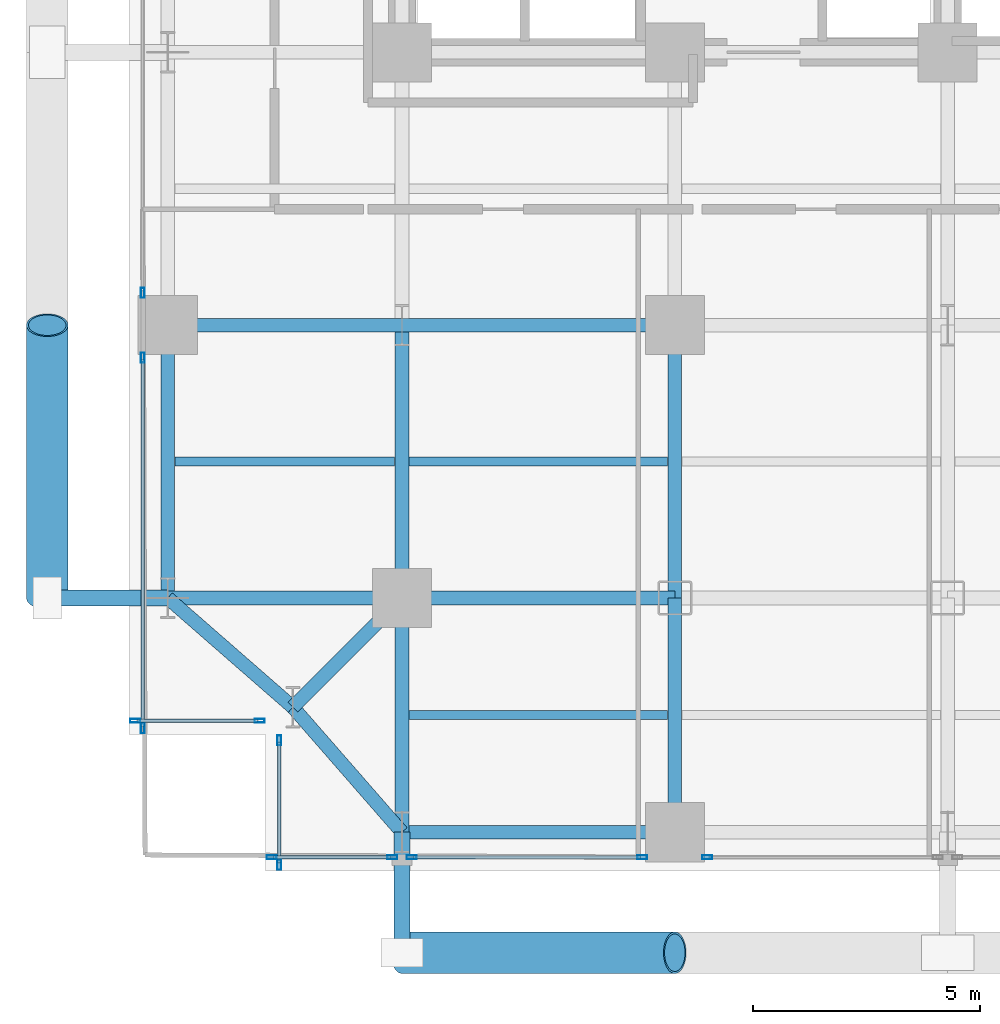
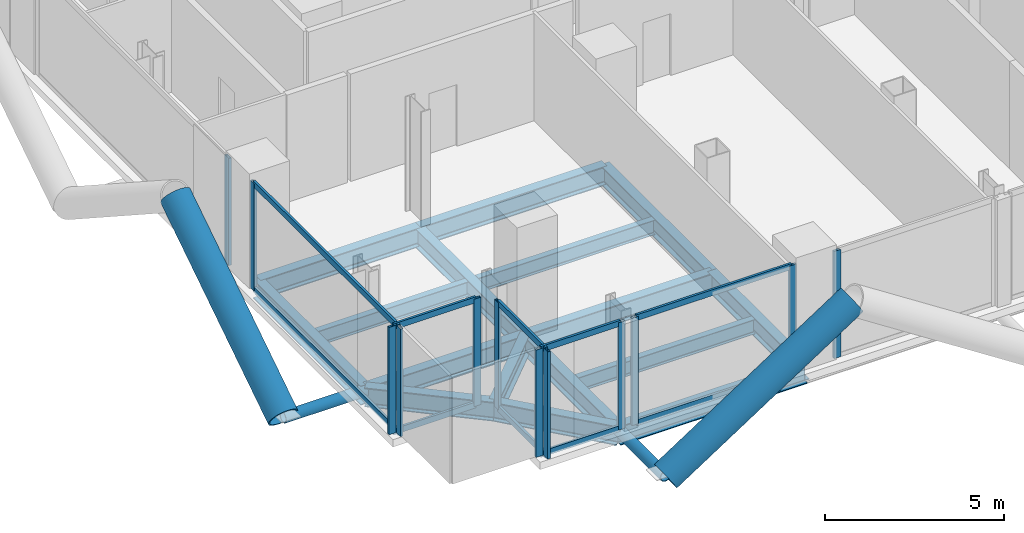
# One storey, part 2 of 27: 26 members, 16 beams, 7 elements without a shape of their own.
"""IFC4 building model written with IfcOpenShell, lengths in metres."""

from ifc_helpers import new_model, si_unit, direction, frame, origin, origin_2d, place, context, subcontext, project, spatial, hollow_rectangle, hollow_circle, i_section, extrude, material, layer, layer_set, material_profile, profile_set, type_object, element, aggregate, save


model = new_model("IFC4")

# Units and contexts
model_context = context("Model", 3, precision=1e-05, world=origin(), true_north=direction((0.0, 1.0)))
body_context = subcontext(model_context, "Body", "Model", "MODEL_VIEW")
ifc_project = project(units=[si_unit("LENGTHUNIT", "METRE"), si_unit("AREAUNIT", "SQUARE_METRE"), si_unit("VOLUMEUNIT", "CUBIC_METRE"), si_unit("PLANEANGLEUNIT", "RADIAN"), si_unit("MASSUNIT", "GRAM", prefix="KILO"), si_unit("THERMODYNAMICTEMPERATUREUNIT", "KELVIN"), si_unit("POWERUNIT", "WATT")], contexts=[model_context])

# Site, building, storey
site_placement = place(None, origin())
site = spatial("IfcSite", under=ifc_project, at=site_placement, CompositionType="ELEMENT")
building_placement = place(site_placement, origin())
building = spatial("IfcBuilding", under=site, at=building_placement, Name="Svarakhadi Broadcast Tower", CompositionType="ELEMENT")
storey_placement = place(building_placement, frame((0.0, 0.0, 87.0)))
storey = spatial("IfcBuildingStorey", under=building, at=storey_placement, Name="L20", CompositionType="ELEMENT", Elevation=87.0)

# Beams
ifc_material_1 = material(Name="Steel S355J2 (IS 2062 E350C)", Category="steel")
ifc_material_profile_1 = material_profile(ifc_material_1, i_section(OverallWidth=0.199951171875, OverallDepth=0.5, WebThickness=0.01025390625, FlangeThickness=0.01611328125, FilletRadius=0.02099609375, at=origin_2d()), Name="NPB 500x200x91")
ifc_profile_set_1 = profile_set([ifc_material_profile_1], Name="Steel S355J2 (IS 2062 E350C)")
beam_type_1 = type_object("IfcBeamType", Name="Beam_NPB500", PredefinedType="BEAM", material=ifc_profile_set_1)
beam_1_placement = place(storey_placement, frame((1.010009765625, 9.0, -0.5), z_axis=(1.0, 0.0, 0.0), x_axis=(0.0, 1.0, 0.0)))
element("IfcBeam", 1, at=beam_1_placement, inside=storey, type_object=beam_type_1, Name="L20 Secondary Composite Beam SB001", PredefinedType="BEAM", context=body_context, shape_type="SweptSolid", body=[
    extrude(i_section(OverallWidth=0.199951171875, OverallDepth=0.5, WebThickness=0.01025390625, FlangeThickness=0.01611328125, FilletRadius=0.02099609375, at=origin_2d()), origin(), (0.0, 0.0, 1.0), 4.830078125),
])
for number, where, z_axis, x_axis, name in (
    (2, (6.159912109375, 3.425048828125, -0.5), (1.0, 0.0, 0.0), (0.0, 1.0, 0.0), "L20 Secondary Composite Beam SB007"),
    (3, (6.159912109375, 9.0, -0.5), (1.0, 0.0, 0.0), (0.0, 1.0, 0.0), "L20 Secondary Composite Beam SB008"),
):
    element("IfcBeam", number, at=place(storey_placement, frame(where, z_axis=z_axis, x_axis=x_axis)), inside=storey, type_object=beam_type_1, Name=name, PredefinedType="BEAM", context=body_context, shape_type="SweptSolid", body=[
        extrude(i_section(OverallWidth=0.199951171875, OverallDepth=0.5, WebThickness=0.01025390625, FlangeThickness=0.01611328125, FilletRadius=0.02099609375, at=origin_2d()), origin(), (0.0, 0.0, 1.0), 5.68017578125),
    ])

# Curtain wall, members
ifc_material_2 = material(Name="Anodised Bronze Aluminium AA 6063-T6", Category="aluminium")
ifc_layer = layer(ifc_material_2, 0.219970703125)
ifc_layer_set = layer_set([ifc_layer], Name="Anodised Bronze Aluminium AA 6063-T6")
curtain_wall_type = type_object("IfcCurtainWallType", Name="CW_Sys_02", PredefinedType="NOTDEFINED", material=ifc_layer_set)
curtain_wall_1_placement = place(storey_placement, origin())
curtain_wall_1 = element("IfcCurtainWall", 4, at=curtain_wall_1_placement, inside=storey, type_object=curtain_wall_type, Name="L20 Unitised Facade Curtain Wall 01", PredefinedType="NOTDEFINED")
ifc_material_profile_2 = material_profile(ifc_material_2, hollow_rectangle(XDim=0.0849609375, YDim=0.219970703125, WallThickness=0.006103515625, at=origin_2d()), Name="ALU MULLION 220x85x6")
ifc_profile_set_2 = profile_set([ifc_material_profile_2], Name="Anodised Bronze Aluminium AA 6063-T6")
member_type_1 = type_object("IfcMemberType", Name="CW_Sys_02_Mul", PredefinedType="MULLION", material=ifc_profile_set_2)
member_1_placement = place(storey_placement, frame((2.867431640625, 3.300048828125, 0.0), z_axis=(0.0, 0.0, 1.0), x_axis=(0.0, -1.0, 0.0)))
member_1 = element("IfcMember", 5, at=member_1_placement, type_object=member_type_1, Name="CW-02 mullion 1", PredefinedType="MULLION", context=body_context, shape_type="SweptSolid", body=[
    extrude(hollow_rectangle(XDim=0.0849609375, YDim=0.219970703125, WallThickness=0.006103515625, at=origin_2d()), origin(), (0.0, 0.0, 1.0), 3.64990234375),
])
member_2_placement = place(storey_placement, frame((0.132568359375, 3.300048828125, 0.0), z_axis=(0.0, 0.0, 1.0), x_axis=(0.0, -1.0, 0.0)))
member_2 = element("IfcMember", 6, at=member_2_placement, type_object=member_type_1, Name="CW-02 mullion 2", PredefinedType="MULLION", context=body_context, shape_type="SweptSolid", body=[
    extrude(hollow_rectangle(XDim=0.0849609375, YDim=0.219970703125, WallThickness=0.006103515625, at=origin_2d()), origin(), (0.0, 0.0, 1.0), 3.64990234375),
])

curtain_wall_2_placement = place(storey_placement, origin())
curtain_wall_2 = element("IfcCurtainWall", 7, at=curtain_wall_2_placement, inside=storey, type_object=curtain_wall_type, Name="L20 West Curtain Wall 02 Bay 1", PredefinedType="NOTDEFINED")
member_3_placement = place(storey_placement, frame((0.300048828125, 3.132568359375, 0.0), z_axis=(0.0, 0.0, 1.0), x_axis=(-1.0, 0.0, 0.0)))
member_3 = element("IfcMember", 8, at=member_3_placement, type_object=member_type_1, Name="CW-02 mullion 1", PredefinedType="MULLION", context=body_context, shape_type="SweptSolid", body=[
    extrude(hollow_rectangle(XDim=0.0849609375, YDim=0.219970703125, WallThickness=0.006103515625, at=origin_2d()), origin(), (0.0, 0.0, 1.0), 3.64990234375),
])
member_4_placement = place(storey_placement, frame((0.300048828125, 11.28759765625, 0.0), z_axis=(0.0, 0.0, 1.0), x_axis=(-1.0, 0.0, 0.0)))
member_4 = element("IfcMember", 9, at=member_4_placement, type_object=member_type_1, Name="CW-02 mullion 2", PredefinedType="MULLION", context=body_context, shape_type="SweptSolid", body=[
    extrude(hollow_rectangle(XDim=0.0849609375, YDim=0.219970703125, WallThickness=0.006103515625, at=origin_2d()), origin(), (0.0, 0.0, 1.0), 3.64990234375),
])

# Curtain wall, member
curtain_wall_3_placement = place(storey_placement, origin())
curtain_wall_3 = element("IfcCurtainWall", 10, at=curtain_wall_3_placement, inside=storey, type_object=curtain_wall_type, Name="L20 West Curtain Wall 02 Bay 2", PredefinedType="NOTDEFINED")
member_5_placement = place(storey_placement, frame((0.300048828125, 12.71240234375, 0.0), z_axis=(0.0, 0.0, 1.0), x_axis=(-1.0, 0.0, 0.0)))
member_5 = element("IfcMember", 11, at=member_5_placement, type_object=member_type_1, Name="CW-02 mullion 1", PredefinedType="MULLION", context=body_context, shape_type="SweptSolid", body=[
    extrude(hollow_rectangle(XDim=0.0849609375, YDim=0.219970703125, WallThickness=0.006103515625, at=origin_2d()), origin(), (0.0, 0.0, 1.0), 3.64990234375),
])
aggregate(curtain_wall_3, [member_5])

curtain_wall_4_placement = place(storey_placement, origin())
curtain_wall_4 = element("IfcCurtainWall", 12, at=curtain_wall_4_placement, inside=storey, type_object=curtain_wall_type, Name="L20 South Curtain Wall 17 Bay 5", PredefinedType="NOTDEFINED")
member_6_placement = place(storey_placement, frame((12.71240234375, 0.300048828125, 0.0), z_axis=(0.0, 0.0, 1.0), x_axis=(0.0, -1.0, 0.0)))
member_6 = element("IfcMember", 13, at=member_6_placement, type_object=member_type_1, Name="CW-02 mullion 2", PredefinedType="MULLION", context=body_context, shape_type="SweptSolid", body=[
    extrude(hollow_rectangle(XDim=0.0849609375, YDim=0.219970703125, WallThickness=0.006103515625, at=origin_2d()), origin(), (0.0, 0.0, 1.0), 3.64990234375),
])
aggregate(curtain_wall_4, [member_6])

# Curtain wall, members
curtain_wall_5_placement = place(storey_placement, origin())
curtain_wall_5 = element("IfcCurtainWall", 14, at=curtain_wall_5_placement, inside=storey, type_object=curtain_wall_type, Name="L20 South Curtain Wall 17 Bay 6", PredefinedType="NOTDEFINED")
member_7_placement = place(storey_placement, frame((11.28759765625, 0.300048828125, 0.0), z_axis=(0.0, 0.0, 1.0), x_axis=(0.0, -1.0, 0.0)))
member_7 = element("IfcMember", 15, at=member_7_placement, type_object=member_type_1, Name="CW-02 mullion 1", PredefinedType="MULLION", context=body_context, shape_type="SweptSolid", body=[
    extrude(hollow_rectangle(XDim=0.0849609375, YDim=0.219970703125, WallThickness=0.006103515625, at=origin_2d()), origin(), (0.0, 0.0, 1.0), 3.64990234375),
])
member_8_placement = place(storey_placement, frame((6.21240234375, 0.300048828125, 0.0), z_axis=(0.0, 0.0, 1.0), x_axis=(0.0, -1.0, 0.0)))
member_8 = element("IfcMember", 16, at=member_8_placement, type_object=member_type_1, Name="CW-02 mullion 2", PredefinedType="MULLION", context=body_context, shape_type="SweptSolid", body=[
    extrude(hollow_rectangle(XDim=0.0849609375, YDim=0.219970703125, WallThickness=0.006103515625, at=origin_2d()), origin(), (0.0, 0.0, 1.0), 3.64990234375),
])

curtain_wall_6_placement = place(storey_placement, origin())
curtain_wall_6 = element("IfcCurtainWall", 17, at=curtain_wall_6_placement, inside=storey, type_object=curtain_wall_type, Name="L20 South Curtain Wall 17 Bay 7", PredefinedType="NOTDEFINED")
member_9_placement = place(storey_placement, frame((5.78759765625, 0.300048828125, 0.0), z_axis=(0.0, 0.0, 1.0), x_axis=(0.0, -1.0, 0.0)))
member_9 = element("IfcMember", 18, at=member_9_placement, type_object=member_type_1, Name="CW-02 mullion 1", PredefinedType="MULLION", context=body_context, shape_type="SweptSolid", body=[
    extrude(hollow_rectangle(XDim=0.0849609375, YDim=0.219970703125, WallThickness=0.006103515625, at=origin_2d()), origin(), (0.0, 0.0, 1.0), 3.64990234375),
])
member_10_placement = place(storey_placement, frame((3.132568359375, 0.300048828125, 0.0), z_axis=(0.0, 0.0, 1.0), x_axis=(0.0, -1.0, 0.0)))
member_10 = element("IfcMember", 19, at=member_10_placement, type_object=member_type_1, Name="CW-02 mullion 2", PredefinedType="MULLION", context=body_context, shape_type="SweptSolid", body=[
    extrude(hollow_rectangle(XDim=0.0849609375, YDim=0.219970703125, WallThickness=0.006103515625, at=origin_2d()), origin(), (0.0, 0.0, 1.0), 3.64990234375),
])

curtain_wall_7_placement = place(storey_placement, origin())
curtain_wall_7 = element("IfcCurtainWall", 20, at=curtain_wall_7_placement, inside=storey, type_object=curtain_wall_type, Name="L20 Unitised Facade Curtain Wall 18", PredefinedType="NOTDEFINED")
member_11_placement = place(storey_placement, frame((3.300048828125, 0.132568359375, 0.0), z_axis=(0.0, 0.0, 1.0), x_axis=(-1.0, 0.0, 0.0)))
member_11 = element("IfcMember", 21, at=member_11_placement, type_object=member_type_1, Name="CW-02 mullion 1", PredefinedType="MULLION", context=body_context, shape_type="SweptSolid", body=[
    extrude(hollow_rectangle(XDim=0.0849609375, YDim=0.219970703125, WallThickness=0.006103515625, at=origin_2d()), origin(), (0.0, 0.0, 1.0), 3.64990234375),
])
member_12_placement = place(storey_placement, frame((3.300048828125, 2.867431640625, 0.0), z_axis=(0.0, 0.0, 1.0), x_axis=(-1.0, 0.0, 0.0)))
member_12 = element("IfcMember", 22, at=member_12_placement, type_object=member_type_1, Name="CW-02 mullion 2", PredefinedType="MULLION", context=body_context, shape_type="SweptSolid", body=[
    extrude(hollow_rectangle(XDim=0.0849609375, YDim=0.219970703125, WallThickness=0.006103515625, at=origin_2d()), origin(), (0.0, 0.0, 1.0), 3.64990234375),
])

# Member
ifc_material_profile_3 = material_profile(ifc_material_2, hollow_rectangle(XDim=0.074951171875, YDim=0.199951171875, WallThickness=0.0048828125, at=origin_2d()), Name="ALU TRANSOM 200x75x5")
ifc_profile_set_3 = profile_set([ifc_material_profile_3], Name="Anodised Bronze Aluminium AA 6063-T6")
member_type_2 = type_object("IfcMemberType", Name="CW_Sys_02_Trn", PredefinedType="USERDEFINED", material=ifc_profile_set_3)
member_13_placement = place(storey_placement, frame((2.824951171875, 3.300048828125, 0.03759765625), z_axis=(-1.0, 0.0, 0.0), x_axis=(0.0, -1.0, 0.0)))
member_13 = element("IfcMember", 23, at=member_13_placement, type_object=member_type_2, Name="CW-02 transom 1.1", ObjectType="TRANSOM", PredefinedType="USERDEFINED", context=body_context, shape_type="SweptSolid", body=[
    extrude(hollow_rectangle(XDim=0.074951171875, YDim=0.199951171875, WallThickness=0.0048828125, at=origin_2d()), origin(), (0.0, 0.0, 1.0), 2.64990234375),
])

member_14_placement = place(storey_placement, frame((2.824951171875, 3.300048828125, 3.612548828125), z_axis=(-1.0, 0.0, 0.0), x_axis=(0.0, -1.0, 0.0)))
member_14 = element("IfcMember", 24, at=member_14_placement, type_object=member_type_2, Name="CW-02 transom 1.2", ObjectType="TRANSOM", PredefinedType="USERDEFINED", context=body_context, shape_type="SweptSolid", body=[
    extrude(hollow_rectangle(XDim=0.074951171875, YDim=0.199951171875, WallThickness=0.0048828125, at=origin_2d()), origin(), (0.0, 0.0, 1.0), 2.64990234375),
])

aggregate(curtain_wall_1, [member_1, member_2, member_13, member_14])

member_15_placement = place(storey_placement, frame((0.300048828125, 3.175048828125, 0.03759765625), z_axis=(0.0, 1.0, 0.0), x_axis=(-1.0, 0.0, 0.0)))
member_15 = element("IfcMember", 25, at=member_15_placement, type_object=member_type_2, Name="CW-02 transom 1.1", ObjectType="TRANSOM", PredefinedType="USERDEFINED", context=body_context, shape_type="SweptSolid", body=[
    extrude(hollow_rectangle(XDim=0.074951171875, YDim=0.199951171875, WallThickness=0.0048828125, at=origin_2d()), origin(), (0.0, 0.0, 1.0), 8.070068359375),
])

member_16_placement = place(storey_placement, frame((0.300048828125, 3.175048828125, 3.612548828125), z_axis=(0.0, 1.0, 0.0), x_axis=(-1.0, 0.0, 0.0)))
member_16 = element("IfcMember", 26, at=member_16_placement, type_object=member_type_2, Name="CW-02 transom 1.2", ObjectType="TRANSOM", PredefinedType="USERDEFINED", context=body_context, shape_type="SweptSolid", body=[
    extrude(hollow_rectangle(XDim=0.074951171875, YDim=0.199951171875, WallThickness=0.0048828125, at=origin_2d()), origin(), (0.0, 0.0, 1.0), 8.070068359375),
])

aggregate(curtain_wall_2, [member_3, member_4, member_15, member_16])

member_17_placement = place(storey_placement, frame((11.2451171875, 0.300048828125, 0.03759765625), z_axis=(-1.0, 0.0, 0.0), x_axis=(0.0, -1.0, 0.0)))
member_17 = element("IfcMember", 27, at=member_17_placement, type_object=member_type_2, Name="CW-02 transom 1.1", ObjectType="TRANSOM", PredefinedType="USERDEFINED", context=body_context, shape_type="SweptSolid", body=[
    extrude(hollow_rectangle(XDim=0.074951171875, YDim=0.199951171875, WallThickness=0.0048828125, at=origin_2d()), origin(), (0.0, 0.0, 1.0), 4.990234375),
])

member_18_placement = place(storey_placement, frame((11.2451171875, 0.300048828125, 3.612548828125), z_axis=(-1.0, 0.0, 0.0), x_axis=(0.0, -1.0, 0.0)))
member_18 = element("IfcMember", 28, at=member_18_placement, type_object=member_type_2, Name="CW-02 transom 1.2", ObjectType="TRANSOM", PredefinedType="USERDEFINED", context=body_context, shape_type="SweptSolid", body=[
    extrude(hollow_rectangle(XDim=0.074951171875, YDim=0.199951171875, WallThickness=0.0048828125, at=origin_2d()), origin(), (0.0, 0.0, 1.0), 4.990234375),
])

aggregate(curtain_wall_5, [member_7, member_8, member_17, member_18])

member_19_placement = place(storey_placement, frame((5.7451171875, 0.300048828125, 0.03759765625), z_axis=(-1.0, 0.0, 0.0), x_axis=(0.0, -1.0, 0.0)))
member_19 = element("IfcMember", 29, at=member_19_placement, type_object=member_type_2, Name="CW-02 transom 1.1", ObjectType="TRANSOM", PredefinedType="USERDEFINED", context=body_context, shape_type="SweptSolid", body=[
    extrude(hollow_rectangle(XDim=0.074951171875, YDim=0.199951171875, WallThickness=0.0048828125, at=origin_2d()), origin(), (0.0, 0.0, 1.0), 2.570068359375),
])

member_20_placement = place(storey_placement, frame((5.7451171875, 0.300048828125, 3.612548828125), z_axis=(-1.0, 0.0, 0.0), x_axis=(0.0, -1.0, 0.0)))
member_20 = element("IfcMember", 30, at=member_20_placement, type_object=member_type_2, Name="CW-02 transom 1.2", ObjectType="TRANSOM", PredefinedType="USERDEFINED", context=body_context, shape_type="SweptSolid", body=[
    extrude(hollow_rectangle(XDim=0.074951171875, YDim=0.199951171875, WallThickness=0.0048828125, at=origin_2d()), origin(), (0.0, 0.0, 1.0), 2.570068359375),
])

aggregate(curtain_wall_6, [member_9, member_10, member_19, member_20])

member_21_placement = place(storey_placement, frame((3.300048828125, 0.175048828125, 0.03759765625), z_axis=(0.0, 1.0, 0.0), x_axis=(-1.0, 0.0, 0.0)))
member_21 = element("IfcMember", 31, at=member_21_placement, type_object=member_type_2, Name="CW-02 transom 1.1", ObjectType="TRANSOM", PredefinedType="USERDEFINED", context=body_context, shape_type="SweptSolid", body=[
    extrude(hollow_rectangle(XDim=0.074951171875, YDim=0.199951171875, WallThickness=0.0048828125, at=origin_2d()), origin(), (0.0, 0.0, 1.0), 2.64990234375),
])

member_22_placement = place(storey_placement, frame((3.300048828125, 0.175048828125, 3.612548828125), z_axis=(0.0, 1.0, 0.0), x_axis=(-1.0, 0.0, 0.0)))
member_22 = element("IfcMember", 32, at=member_22_placement, type_object=member_type_2, Name="CW-02 transom 1.2", ObjectType="TRANSOM", PredefinedType="USERDEFINED", context=body_context, shape_type="SweptSolid", body=[
    extrude(hollow_rectangle(XDim=0.074951171875, YDim=0.199951171875, WallThickness=0.0048828125, at=origin_2d()), origin(), (0.0, 0.0, 1.0), 2.64990234375),
])

aggregate(curtain_wall_7, [member_11, member_12, member_21, member_22])

# Members
ifc_material_3 = material(Name="Steel S460ML (IS 2062 E450BR)", Category="steel")
ifc_material_profile_4 = material_profile(ifc_material_3, hollow_circle(Radius=0.45703125, WallThickness=0.044921875, at=origin_2d()), Name="CHS 914x45")
ifc_profile_set_4 = profile_set([ifc_material_profile_4], Name="Steel S460ML (IS 2062 E450BR)")
member_type_3 = type_object("IfcMemberType", Name="Exo_Brace_CHS914", PredefinedType="BRACE", material=ifc_profile_set_4)
for number, where, z_axis, x_axis, name in (
    (33, (6.0, -1.800048828125, -0.427734375), (0.838449851971, 0.0, 0.544978757136), (0.0, 1.0, 0.0), "L20 Exposed Bronze Exoskeleton Diagonal S01"),
    (34, (-1.800048828125, 6.0, -0.427734375), (0.0, 0.838449851971, 0.544978757136), (-1.0, 0.0, 0.0), "L20 Exposed Bronze Exoskeleton Diagonal W06"),
):
    element("IfcMember", number, at=place(storey_placement, frame(where, z_axis=z_axis, x_axis=x_axis)), inside=storey, type_object=member_type_3, Name=name, PredefinedType="BRACE", context=body_context, shape_type="SweptSolid", body=[
        extrude(hollow_circle(Radius=0.45703125, WallThickness=0.044921875, at=origin_2d()), origin(), (0.0, 0.0, 1.0), 7.156005859375),
    ])
ifc_material_profile_5 = material_profile(ifc_material_3, hollow_circle(Radius=0.177734375, WallThickness=0.02001953125, at=origin_2d()), Name="CHS 355.6x20")
ifc_profile_set_5 = profile_set([ifc_material_profile_5], Name="Steel S460ML (IS 2062 E450BR)")
member_type_4 = type_object("IfcMemberType", Name="Exo_Radial_Strut_Z1", PredefinedType="STRUT", material=ifc_profile_set_5)
for number, where, z_axis, x_axis, name in (
    (35, (6.0, -1.800048828125, -0.427734375), (0.0, 1.0, 0.0), (-1.0, 0.0, 0.0), "L20 Exoskeleton Radial Tie Strut S01"),
    (36, (-1.800048828125, 6.0, -0.427734375), (1.0, 0.0, 0.0), (0.0, 1.0, 0.0), "L20 Exoskeleton Radial Tie Strut W05"),
):
    element("IfcMember", number, at=place(storey_placement, frame(where, z_axis=z_axis, x_axis=x_axis)), inside=storey, type_object=member_type_4, Name=name, PredefinedType="STRUT", context=body_context, shape_type="SweptSolid", body=[
        extrude(hollow_circle(Radius=0.177734375, WallThickness=0.02001953125, at=origin_2d()), origin(), (0.0, 0.0, 1.0), 2.650146484375),
    ])

# Beams
ifc_material_profile_6 = material_profile(ifc_material_1, i_section(OverallWidth=0.300048828125, OverallDepth=0.64990234375, WebThickness=0.01611328125, FlangeThickness=0.031005859375, FilletRadius=0.027099609375, at=origin_2d()), Name="WPB 650x300x225")
ifc_profile_set_6 = profile_set([ifc_material_profile_6], Name="Steel S355J2 (IS 2062 E350C)")
beam_type_2 = type_object("IfcBeamType", Name="Girder_WPB650", PredefinedType="USERDEFINED", material=ifc_profile_set_6)
beam_2_placement = place(storey_placement, frame((3.60009765625, 3.60009765625, -0.574951171875), z_axis=(0.707106781187, 0.707106781187, 0.0), x_axis=(-0.707106781187, 0.707106781187, 0.0)))
element("IfcBeam", 37, at=beam_2_placement, inside=storey, type_object=beam_type_2, Name="L20 Corner Tie Girder G001", ObjectType="GIRDER", PredefinedType="USERDEFINED", context=body_context, shape_type="SweptSolid", body=[
    extrude(i_section(OverallWidth=0.300048828125, OverallDepth=0.64990234375, WebThickness=0.01611328125, FlangeThickness=0.031005859375, FilletRadius=0.027099609375, at=origin_2d()), origin(), (0.0, 0.0, 1.0), 3.39404296875),
])
for number, where, z_axis, x_axis, name in (
    (38, (3.60009765625, 3.60009765625, -0.574951171875), (-0.753437912176, 0.657519058655, 0.0), (-0.657519058655, -0.753437912176, 0.0), "L20 Corner Tie Girder G002"),
    (39, (3.60009765625, 3.60009765625, -0.574951171875), (0.657519058655, -0.753437912176, 0.0), (0.753437912176, 0.657519058655, 0.0), "L20 Corner Tie Girder G003"),
):
    element("IfcBeam", number, at=place(storey_placement, frame(where, z_axis=z_axis, x_axis=x_axis)), inside=storey, type_object=beam_type_2, Name=name, ObjectType="GIRDER", PredefinedType="USERDEFINED", context=body_context, shape_type="SweptSolid", body=[
        extrude(i_section(OverallWidth=0.300048828125, OverallDepth=0.64990234375, WebThickness=0.01611328125, FlangeThickness=0.031005859375, FilletRadius=0.027099609375, at=origin_2d()), origin(), (0.0, 0.0, 1.0), 3.64990234375),
    ])
beam_3_placement = place(storey_placement, frame((6.0, 0.85009765625, -0.574951171875), z_axis=(1.0, 0.0, 0.0), x_axis=(0.0, 1.0, 0.0)))
element("IfcBeam", 40, at=beam_3_placement, inside=storey, type_object=beam_type_2, Name="L20 Primary E-W Girder G004", ObjectType="GIRDER", PredefinedType="USERDEFINED", context=body_context, shape_type="SweptSolid", body=[
    extrude(i_section(OverallWidth=0.300048828125, OverallDepth=0.64990234375, WebThickness=0.01611328125, FlangeThickness=0.031005859375, FilletRadius=0.027099609375, at=origin_2d()), origin(), (0.0, 0.0, 1.0), 6.0),
])
beam_4_placement = place(storey_placement, frame((0.85009765625, 6.0, -0.574951171875), z_axis=(1.0, 0.0, 0.0), x_axis=(0.0, 1.0, 0.0)))
element("IfcBeam", 41, at=beam_4_placement, inside=storey, type_object=beam_type_2, Name="L20 Primary E-W Girder G011", ObjectType="GIRDER", PredefinedType="USERDEFINED", context=body_context, shape_type="SweptSolid", body=[
    extrude(i_section(OverallWidth=0.300048828125, OverallDepth=0.64990234375, WebThickness=0.01611328125, FlangeThickness=0.031005859375, FilletRadius=0.027099609375, at=origin_2d()), origin(), (0.0, 0.0, 1.0), 5.14990234375),
])
beam_5_placement = place(storey_placement, frame((6.0, 6.0, -0.574951171875), z_axis=(1.0, 0.0, 0.0), x_axis=(0.0, 1.0, 0.0)))
element("IfcBeam", 42, at=beam_5_placement, inside=storey, type_object=beam_type_2, Name="L20 Primary E-W Girder G012", ObjectType="GIRDER", PredefinedType="USERDEFINED", context=body_context, shape_type="SweptSolid", body=[
    extrude(i_section(OverallWidth=0.300048828125, OverallDepth=0.64990234375, WebThickness=0.01611328125, FlangeThickness=0.031005859375, FilletRadius=0.027099609375, at=origin_2d()), origin(), (0.0, 0.0, 1.0), 6.0),
])
beam_6_placement = place(storey_placement, frame((0.85009765625, 12.0, -0.574951171875), z_axis=(1.0, 0.0, 0.0), x_axis=(0.0, 1.0, 0.0)))
element("IfcBeam", 43, at=beam_6_placement, inside=storey, type_object=beam_type_2, Name="L20 Primary E-W Girder G019", ObjectType="GIRDER", PredefinedType="USERDEFINED", context=body_context, shape_type="SweptSolid", body=[
    extrude(i_section(OverallWidth=0.300048828125, OverallDepth=0.64990234375, WebThickness=0.01611328125, FlangeThickness=0.031005859375, FilletRadius=0.027099609375, at=origin_2d()), origin(), (0.0, 0.0, 1.0), 5.14990234375),
])
for number, where, z_axis, x_axis, name in (
    (44, (6.0, 12.0, -0.574951171875), (1.0, 0.0, 0.0), (0.0, 1.0, 0.0), "L20 Primary E-W Girder G020"),
    (45, (0.85009765625, 6.0, -0.574951171875), (0.0, 1.0, 0.0), (-1.0, 0.0, 0.0), "L20 Primary N-S Girder G045"),
):
    element("IfcBeam", number, at=place(storey_placement, frame(where, z_axis=z_axis, x_axis=x_axis)), inside=storey, type_object=beam_type_2, Name=name, ObjectType="GIRDER", PredefinedType="USERDEFINED", context=body_context, shape_type="SweptSolid", body=[
        extrude(i_section(OverallWidth=0.300048828125, OverallDepth=0.64990234375, WebThickness=0.01611328125, FlangeThickness=0.031005859375, FilletRadius=0.027099609375, at=origin_2d()), origin(), (0.0, 0.0, 1.0), 6.0),
    ])
beam_7_placement = place(storey_placement, frame((6.0, 0.85009765625, -0.574951171875), z_axis=(0.0, 1.0, 0.0), x_axis=(-1.0, 0.0, 0.0)))
element("IfcBeam", 46, at=beam_7_placement, inside=storey, type_object=beam_type_2, Name="L20 Primary N-S Girder G051", ObjectType="GIRDER", PredefinedType="USERDEFINED", context=body_context, shape_type="SweptSolid", body=[
    extrude(i_section(OverallWidth=0.300048828125, OverallDepth=0.64990234375, WebThickness=0.01611328125, FlangeThickness=0.031005859375, FilletRadius=0.027099609375, at=origin_2d()), origin(), (0.0, 0.0, 1.0), 5.14990234375),
])
beam_8_placement = place(storey_placement, frame((6.0, 6.0, -0.574951171875), z_axis=(0.0, 1.0, 0.0), x_axis=(-1.0, 0.0, 0.0)))
element("IfcBeam", 47, at=beam_8_placement, inside=storey, type_object=beam_type_2, Name="L20 Primary N-S Girder G052", ObjectType="GIRDER", PredefinedType="USERDEFINED", context=body_context, shape_type="SweptSolid", body=[
    extrude(i_section(OverallWidth=0.300048828125, OverallDepth=0.64990234375, WebThickness=0.01611328125, FlangeThickness=0.031005859375, FilletRadius=0.027099609375, at=origin_2d()), origin(), (0.0, 0.0, 1.0), 6.0),
])
beam_9_placement = place(storey_placement, frame((12.0, 0.85009765625, -0.574951171875), z_axis=(0.0, 1.0, 0.0), x_axis=(-1.0, 0.0, 0.0)))
element("IfcBeam", 48, at=beam_9_placement, inside=storey, type_object=beam_type_2, Name="L20 Primary N-S Girder G058", ObjectType="GIRDER", PredefinedType="USERDEFINED", context=body_context, shape_type="SweptSolid", body=[
    extrude(i_section(OverallWidth=0.300048828125, OverallDepth=0.64990234375, WebThickness=0.01611328125, FlangeThickness=0.031005859375, FilletRadius=0.027099609375, at=origin_2d()), origin(), (0.0, 0.0, 1.0), 5.14990234375),
])
beam_10_placement = place(storey_placement, frame((12.0, 6.0, -0.574951171875), z_axis=(0.0, 1.0, 0.0), x_axis=(-1.0, 0.0, 0.0)))
element("IfcBeam", 49, at=beam_10_placement, inside=storey, type_object=beam_type_2, Name="L20 Primary N-S Girder G059", ObjectType="GIRDER", PredefinedType="USERDEFINED", context=body_context, shape_type="SweptSolid", body=[
    extrude(i_section(OverallWidth=0.300048828125, OverallDepth=0.64990234375, WebThickness=0.01611328125, FlangeThickness=0.031005859375, FilletRadius=0.027099609375, at=origin_2d()), origin(), (0.0, 0.0, 1.0), 6.0),
])

save(model, "model.ifc")
